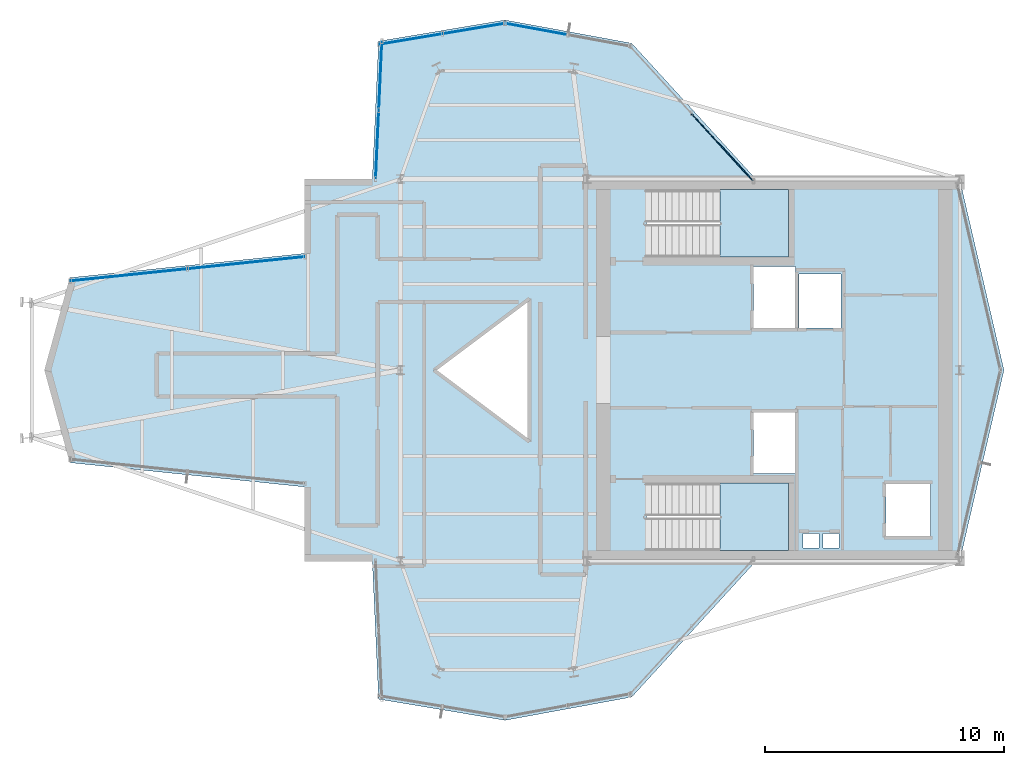
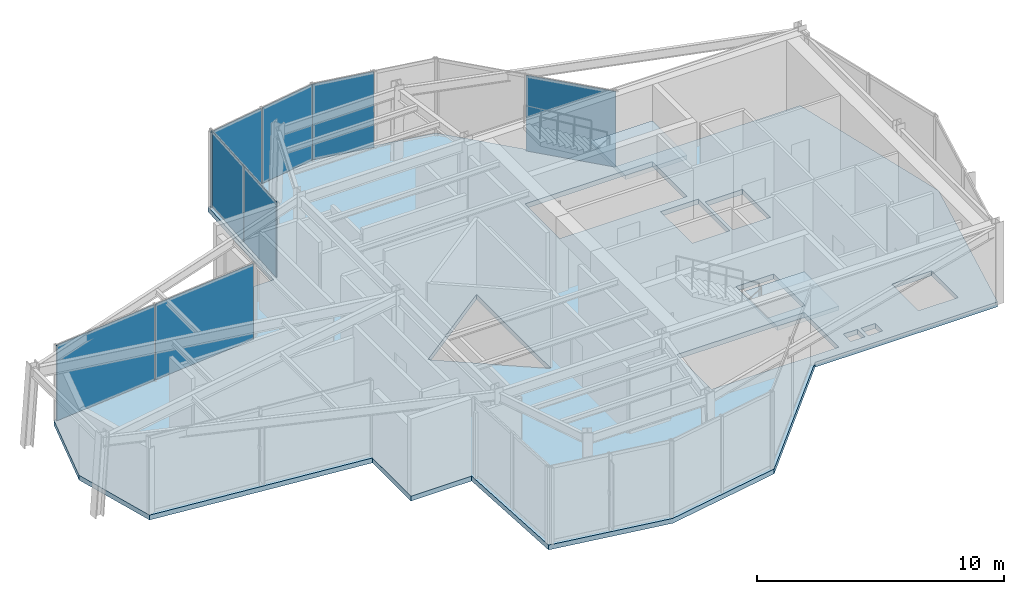
# One storey, part 9 of 13: 8 plates, 3 slabs, 7 elements without a shape of their own.
"""IFC4 building model written with IfcOpenShell, lengths in metres."""

from ifc_helpers import new_model, si_unit, direction, frame, origin, origin_2d, place, context, subcontext, project, spatial, polyline, rectangle, outline, extrude, material, layer, layer_set, type_object, element, aggregate, save


model = new_model("IFC4")

# Units and contexts
model_context = context("Model", 3, precision=1e-05, world=origin(), true_north=direction((0.0, 1.0)))
body_context = subcontext(model_context, "Body", "Model", "MODEL_VIEW")
ifc_project = project(units=[si_unit("LENGTHUNIT", "METRE"), si_unit("AREAUNIT", "SQUARE_METRE"), si_unit("VOLUMEUNIT", "CUBIC_METRE"), si_unit("PLANEANGLEUNIT", "RADIAN"), si_unit("MASSUNIT", "GRAM", prefix="KILO")], contexts=[model_context])

# Site, building, storey
site_placement = place(None, origin())
site = spatial("IfcSite", under=ifc_project, at=site_placement, CompositionType="ELEMENT")
building_placement = place(site_placement, origin())
building = spatial("IfcBuilding", under=site, at=building_placement, Name="Veymaron Broadcast Tower", CompositionType="ELEMENT")
storey_placement = place(building_placement, frame((0.0, 0.0, 287.10009765625)))
storey = spatial("IfcBuildingStorey", under=building, at=storey_placement, Name="L67", CompositionType="ELEMENT", Elevation=287.10009765625)

# Curtain wall, plate
ifc_material_1 = material(Name="Anodised aluminium AA 6063-T6 and laminated low-E dark glass", Category="aluminium")
ifc_layer_1 = layer(ifc_material_1, 0.179931640625)
ifc_layer_set_1 = layer_set([ifc_layer_1], Name="Anodised aluminium AA 6063-T6 and laminated low-E dark glass")
curtain_wall_type = type_object("IfcCurtainWallType", Name="CW-SYS-06", PredefinedType="NOTDEFINED", material=ifc_layer_set_1)
curtain_wall_1_placement = place(storey_placement, origin())
curtain_wall_1 = element("IfcCurtainWall", 1, at=curtain_wall_1_placement, inside=storey, type_object=curtain_wall_type, Name="L67 dark-glass curtain wall CW-L67-E5-1", PredefinedType="NOTDEFINED")
ifc_material_2 = material(Name="Insulated dark-anodised aluminium spandrel panel 40 mm", Category="aluminium")
ifc_layer_2 = layer(ifc_material_2, 0.0400390625)
ifc_layer_set_2 = layer_set([ifc_layer_2], Name="Insulated dark-anodised aluminium spandrel panel 40 mm")
plate_type = type_object("IfcPlateType", Name="CW-PNL-03", PredefinedType="CURTAIN_PANEL", material=ifc_layer_set_2)
plate_1_placement = place(storey_placement, frame((44.667724609375, 33.32568359375, 0.039794921875), z_axis=(0.0, 0.0, 1.0), x_axis=(-0.674585884365, 0.738196372665, 0.0)))
plate_1 = element("IfcPlate", 2, at=plate_1_placement, type_object=plate_type, Name="CW-L67-E5-1 unitised curtain panel 0", PredefinedType="CURTAIN_PANEL", context=body_context, shape_type="SweptSolid", body=[
    extrude(rectangle(XDim=3.787841796875, YDim=0.0400390625, at=origin_2d()), origin(), (0.0, 0.0, 1.0), 3.72998046875),
])
aggregate(curtain_wall_1, [plate_1])

curtain_wall_2_placement = place(storey_placement, origin())
curtain_wall_2 = element("IfcCurtainWall", 3, at=curtain_wall_2_placement, inside=storey, type_object=curtain_wall_type, Name="L67 dark-glass curtain wall CW-L67-E6-1", PredefinedType="NOTDEFINED")
plate_2_placement = place(storey_placement, frame((36.8798828125, 38.2724609375, 0.039794921875), z_axis=(0.0, 0.0, 1.0), x_axis=(-0.983562017505, 0.180570644685, 0.0)))
plate_2 = element("IfcPlate", 4, at=plate_2_placement, type_object=plate_type, Name="CW-L67-E6-1 unitised curtain panel 1", PredefinedType="CURTAIN_PANEL", context=body_context, shape_type="SweptSolid", body=[
    extrude(rectangle(XDim=2.632568359375, YDim=0.0400390625, at=origin_2d()), origin(), (0.0, 0.0, 1.0), 3.72998046875),
])
aggregate(curtain_wall_2, [plate_2])

# Curtain wall, plates
curtain_wall_3_placement = place(storey_placement, origin())
curtain_wall_3 = element("IfcCurtainWall", 5, at=curtain_wall_3_placement, inside=storey, type_object=curtain_wall_type, Name="L67 dark-glass curtain wall CW-L67-E7-1", PredefinedType="NOTDEFINED")
plate_3_placement = place(storey_placement, frame((34.280029296875, 38.294189453125, 0.039794921875), z_axis=(0.0, 0.0, 1.0), x_axis=(-0.986354649988, -0.164634457046, 0.0)))
plate_3 = element("IfcPlate", 6, at=plate_3_placement, type_object=plate_type, Name="CW-L67-E7-1 unitised curtain panel 0", PredefinedType="CURTAIN_PANEL", context=body_context, shape_type="SweptSolid", body=[
    extrude(rectangle(XDim=2.624755859375, YDim=0.0400390625, at=origin_2d()), origin(), (0.0, 0.0, 1.0), 3.72998046875),
])
plate_4_placement = place(storey_placement, frame((31.6318359375, 37.85205078125, 0.039794921875), z_axis=(0.0, 0.0, 1.0), x_axis=(-0.986354649988, -0.164634457046, 0.0)))
plate_4 = element("IfcPlate", 7, at=plate_4_placement, type_object=plate_type, Name="CW-L67-E7-1 unitised curtain panel 1", PredefinedType="CURTAIN_PANEL", context=body_context, shape_type="SweptSolid", body=[
    extrude(rectangle(XDim=2.624755859375, YDim=0.0400390625, at=origin_2d()), origin(), (0.0, 0.0, 1.0), 3.72998046875),
])
aggregate(curtain_wall_3, [plate_3, plate_4])

curtain_wall_4_placement = place(storey_placement, origin())
curtain_wall_4 = element("IfcCurtainWall", 8, at=curtain_wall_4_placement, inside=storey, type_object=curtain_wall_type, Name="L67 dark-glass curtain wall CW-L67-E8-1", PredefinedType="NOTDEFINED")
plate_5_placement = place(storey_placement, frame((30.35888671875, 36.320556640625, 0.039794921875), z_axis=(0.0, 0.0, 1.0), x_axis=(-0.045502470291, -0.998964226185, 0.0)))
plate_5 = element("IfcPlate", 9, at=plate_5_placement, type_object=plate_type, Name="CW-L67-E8-1 unitised curtain panel 0", PredefinedType="CURTAIN_PANEL", context=body_context, shape_type="SweptSolid", body=[
    extrude(rectangle(XDim=2.82763671875, YDim=0.0400390625, at=origin_2d()), origin(), (0.0, 0.0, 1.0), 3.72998046875),
])
plate_6_placement = place(storey_placement, frame((30.2275390625, 33.435791015625, 0.039794921875), z_axis=(0.0, 0.0, 1.0), x_axis=(-0.045502470291, -0.998964226185, 0.0)))
plate_6 = element("IfcPlate", 10, at=plate_6_placement, type_object=plate_type, Name="CW-L67-E8-1 unitised curtain panel 1", PredefinedType="CURTAIN_PANEL", context=body_context, shape_type="SweptSolid", body=[
    extrude(rectangle(XDim=2.82763671875, YDim=0.0400390625, at=origin_2d()), origin(), (0.0, 0.0, 1.0), 3.72998046875),
])
aggregate(curtain_wall_4, [plate_5, plate_6])

curtain_wall_5_placement = place(storey_placement, origin())
curtain_wall_5 = element("IfcCurtainWall", 11, at=curtain_wall_5_placement, inside=storey, type_object=curtain_wall_type, Name="L67 dark-glass curtain wall CW-L67-E11-1", PredefinedType="NOTDEFINED")
plate_7_placement = place(storey_placement, frame((24.74365234375, 28.492919921875, 0.039794921875), z_axis=(0.0, 0.0, 1.0), x_axis=(-0.994701022897, -0.102809897611, 0.0)))
plate_7 = element("IfcPlate", 12, at=plate_7_placement, type_object=plate_type, Name="CW-L67-E11-1 unitised curtain panel 0", PredefinedType="CURTAIN_PANEL", context=body_context, shape_type="SweptSolid", body=[
    extrude(rectangle(XDim=4.87890625, YDim=0.0400390625, at=origin_2d()), origin(), (0.0, 0.0, 1.0), 3.72998046875),
])
plate_8_placement = place(storey_placement, frame((19.830810546875, 27.985107421875, 0.039794921875), z_axis=(0.0, 0.0, 1.0), x_axis=(-0.994701022897, -0.102809897611, 0.0)))
plate_8 = element("IfcPlate", 13, at=plate_8_placement, type_object=plate_type, Name="CW-L67-E11-1 unitised curtain panel 1", PredefinedType="CURTAIN_PANEL", context=body_context, shape_type="SweptSolid", body=[
    extrude(rectangle(XDim=4.87890625, YDim=0.0400390625, at=origin_2d()), origin(), (0.0, 0.0, 1.0), 3.72998046875),
])
aggregate(curtain_wall_5, [plate_7, plate_8])

# Slab
ifc_material_3 = material(Name="Concrete C40/50", Category="concrete")
ifc_layer_3 = layer(ifc_material_3, 0.239990234375)
ifc_layer_set_3 = layer_set([ifc_layer_3], Name="Concrete C40/50")
slab_type_1 = type_object("IfcSlabType", Name="SLAB-FS6", PredefinedType="FLOOR", material=ifc_layer_set_3)
slab_1_placement = place(storey_placement, frame((0.0, 0.0, -0.239990234375)))
element("IfcSlab", 14, at=slab_1_placement, inside=storey, type_object=slab_type_1, Name="L67 structural floor slab", PredefinedType="FLOOR", context=body_context, shape_type="SweptSolid", body=[
    extrude(outline(polyline([(46.06884765625, 16.0), (54.60009765625, 16.0), (56.456298828125, 24.0), (54.60009765625, 32.0), (46.06884765625, 32.0), (40.877685546875, 37.680908203125), (35.581298828125, 38.6533203125), (30.284912109375, 37.769287109375), (30.02197265625, 32.0), (27.185546875, 32.0), (27.185546875, 28.885986328125), (17.360107421875, 27.87060546875), (16.29931640625, 24.0), (17.360107421875, 20.12939453125), (27.185546875, 19.114013671875), (27.185546875, 16.0), (30.02197265625, 16.0), (30.284912109375, 10.230712890625), (35.581298828125, 9.3466796875), (40.877685546875, 10.319091796875), (46.06884765625, 16.0)]), holes=[polyline([(45.969970703125, 28.330078125), (47.72998046875, 28.330078125), (47.72998046875, 25.77001953125), (45.969970703125, 25.77001953125), (45.969970703125, 28.330078125)]), polyline([(45.969970703125, 22.22998046875), (47.72998046875, 22.22998046875), (47.72998046875, 19.669921875), (45.969970703125, 19.669921875), (45.969970703125, 22.22998046875)]), polyline([(47.8701171875, 28.030029296875), (49.6298828125, 28.030029296875), (49.6298828125, 25.77001953125), (47.8701171875, 25.77001953125), (47.8701171875, 28.030029296875)]), polyline([(51.52001953125, 19.22998046875), (53.3798828125, 19.22998046875), (53.3798828125, 17.070068359375), (51.52001953125, 17.070068359375), (51.52001953125, 19.22998046875)]), polyline([(48.050048828125, 17.159912109375), (48.719970703125, 17.159912109375), (48.719970703125, 16.56005859375), (48.050048828125, 16.56005859375), (48.050048828125, 17.159912109375)]), polyline([(48.8798828125, 17.159912109375), (49.550048828125, 17.159912109375), (49.550048828125, 16.56005859375), (48.8798828125, 16.56005859375), (48.8798828125, 17.159912109375)]), polyline([(36.60009765625, 27.0), (36.60009765625, 21.0), (32.60009765625, 24.0), (36.60009765625, 27.0)]), polyline([(41.489990234375, 31.550048828125), (47.43994140625, 31.550048828125), (47.43994140625, 28.72998046875), (41.489990234375, 28.72998046875), (41.489990234375, 31.550048828125)]), polyline([(41.489990234375, 19.27001953125), (47.43994140625, 19.27001953125), (47.43994140625, 16.449951171875), (41.489990234375, 16.449951171875), (41.489990234375, 19.27001953125)])]), origin(), (0.0, 0.0, 1.0), 0.239990234375),
])

# Stair, slab
ifc_material_4 = material(Name="Concrete C50/60", Category="concrete")
stair_type_1 = type_object("IfcStairType", Name="STAIR-CORE-1", PredefinedType="HALF_TURN_STAIR", material=ifc_material_4)
stair_1_placement = place(storey_placement, origin())
stair_1 = element("IfcStair", 15, at=stair_1_placement, inside=storey, type_object=stair_type_1, Name="L67 North protected dog-leg exit stair ST1", PredefinedType="HALF_TURN_STAIR")
ifc_layer_4 = layer(ifc_material_4, 0.199951171875)
ifc_layer_set_4 = layer_set([ifc_layer_4], Name="Concrete C50/60")
slab_type_2 = type_object("IfcSlabType", Name="SLAB-STAIR-LDG", PredefinedType="LANDING", material=ifc_layer_set_4)
slab_2_placement = place(storey_placement, frame((0.0, 0.0, 1.824951171875)))
slab_2 = element("IfcSlab", 16, at=slab_2_placement, type_object=slab_type_2, Name="ST1 landing 1", PredefinedType="LANDING", context=body_context, shape_type="SweptSolid", body=[
    extrude(outline(polyline([(44.56494140625, 28.72998046875), (47.43994140625, 28.72998046875), (47.43994140625, 31.550048828125), (44.56494140625, 31.550048828125), (44.56494140625, 28.72998046875)])), origin(), (0.0, 0.0, 1.0), 0.199951171875),
])
aggregate(stair_1, [slab_2])

stair_type_2 = type_object("IfcStairType", Name="STAIR-CORE-2", PredefinedType="HALF_TURN_STAIR", material=ifc_material_4)
stair_2_placement = place(storey_placement, origin())
stair_2 = element("IfcStair", 17, at=stair_2_placement, inside=storey, type_object=stair_type_2, Name="L67 South protected dog-leg exit stair ST2", PredefinedType="HALF_TURN_STAIR")
slab_3_placement = place(storey_placement, frame((0.0, 0.0, 1.824951171875)))
slab_3 = element("IfcSlab", 18, at=slab_3_placement, type_object=slab_type_2, Name="ST2 landing 1", PredefinedType="LANDING", context=body_context, shape_type="SweptSolid", body=[
    extrude(outline(polyline([(44.56494140625, 16.449951171875), (47.43994140625, 16.449951171875), (47.43994140625, 19.27001953125), (44.56494140625, 19.27001953125), (44.56494140625, 16.449951171875)])), origin(), (0.0, 0.0, 1.0), 0.199951171875),
])
aggregate(stair_2, [slab_3])

save(model, "model.ifc")
